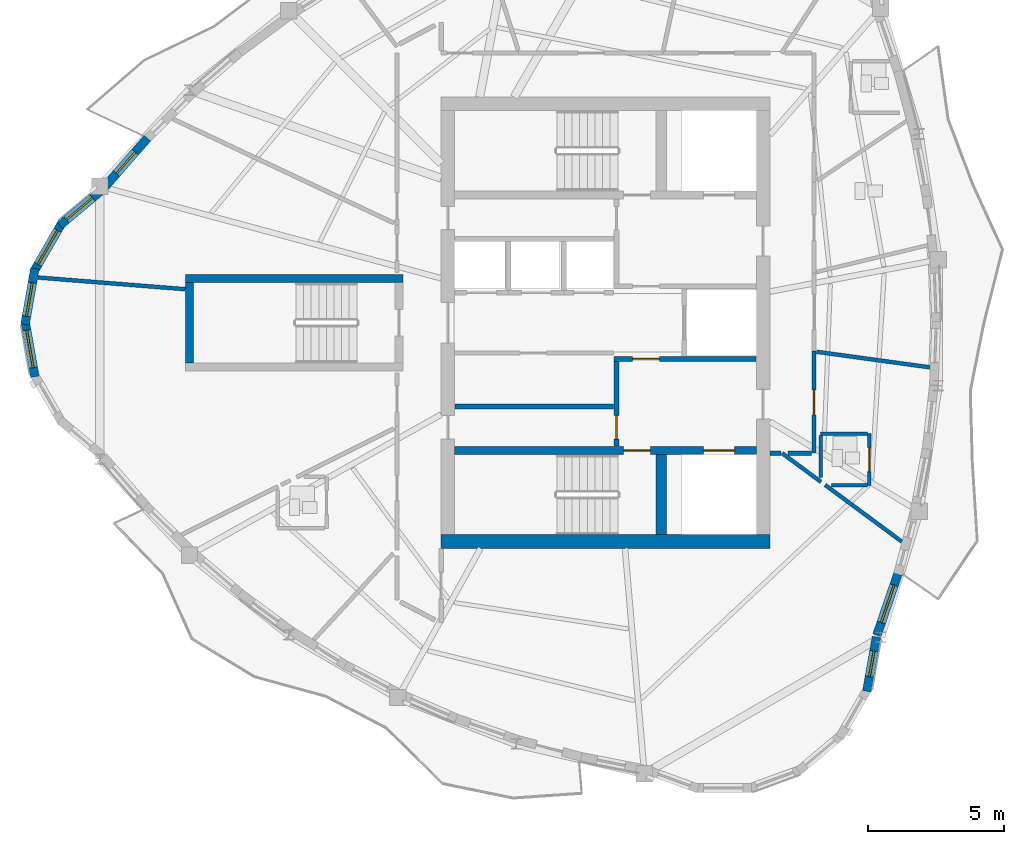
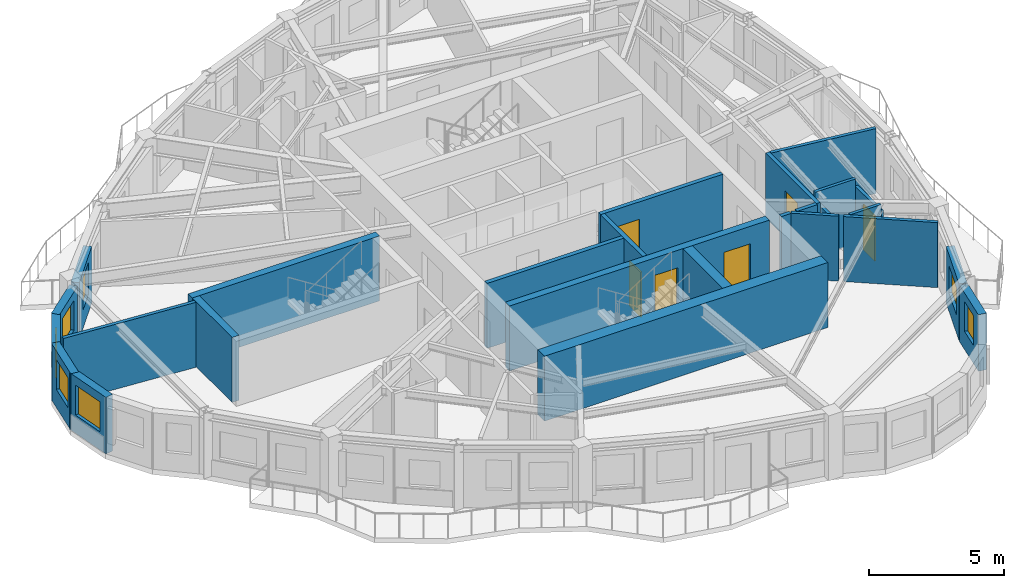
# One storey, part 4 of 12: 26 walls, 7 windows, 6 doors, 13 openings.
"""IFC4 building model written with IfcOpenShell, lengths in metres."""

from ifc_helpers import new_model, si_unit, direction, frame, frame_2d, origin, place, context, subcontext, project, spatial, rectangle, extrude, source, transform, mapped, material, layer, layer_set, type_object, element, fill, save


model = new_model("IFC4")

# Units and contexts
model_context = context("Model", 3, precision=1e-05, world=origin(), true_north=direction((0.0, 1.0)))
body_context = subcontext(model_context, "Body", "Model", "MODEL_VIEW")
ifc_project = project(units=[si_unit("LENGTHUNIT", "METRE"), si_unit("AREAUNIT", "SQUARE_METRE"), si_unit("VOLUMEUNIT", "CUBIC_METRE"), si_unit("PLANEANGLEUNIT", "RADIAN"), si_unit("MASSUNIT", "GRAM", prefix="KILO")], contexts=[model_context])

# Site, building, storey
site_placement = place(None, origin())
site = spatial("IfcSite", under=ifc_project, at=site_placement, CompositionType="ELEMENT")
building_placement = place(site_placement, origin())
building = spatial("IfcBuilding", under=site, at=building_placement, Name="Qafzar Sky-Pleat Residences", CompositionType="ELEMENT")
storey_placement = place(building_placement, frame((0.0, 0.0, 202.0)))
storey = spatial("IfcBuildingStorey", under=building, at=storey_placement, Name="L60", CompositionType="ELEMENT", Elevation=202.0)

# Wall, opening, door
ifc_material_1 = material(Name="Acoustic gypsum plasterboard partition", Category="gypsum")
ifc_layer_1 = layer(ifc_material_1, 0.159912109375)
ifc_layer_set_1 = layer_set([ifc_layer_1], Name="Acoustic gypsum plasterboard partition")
wall_type_1 = type_object("IfcWallType", Name="PART-COR-160", PredefinedType="PARTITIONING", material=ifc_layer_set_1)
wall_1_placement = place(storey_placement, frame((38.02001953125, 24.958984375, 0.0), z_axis=(0.0, 0.0, 1.0), x_axis=(0.0, -1.0, 0.0)))
wall_1 = element("IfcWall", 1, at=wall_1_placement, inside=storey, type_object=wall_type_1, Name="L60 Partition Wall PART-L60-PW-005", PredefinedType="PARTITIONING", context=body_context, shape_type="SweptSolid", body=[
    extrude(rectangle(XDim=3.759033203125, YDim=0.159912109375, at=frame_2d((1.87939453125, 0.0))), origin(), (0.0, 0.0, 1.0), 2.93505859375),
])
opening_1_placement = place(wall_1_placement, frame((1.427490234375, 0.0, 0.0)))
opening_1 = element("IfcOpeningElement", 2, at=opening_1_placement, cuts=wall_1, Name="Opening ID-04", PredefinedType="OPENING", context=body_context, shape_type="SweptSolid", body=[
    extrude(rectangle(XDim=0.919921875, YDim=2.10009765625, at=frame_2d((0.4599609375, 1.050048828125))), frame((0.0, 0.08984375, 0.0), z_axis=(0.0, -1.0, 0.0), x_axis=(1.0, 0.0, 0.0)), (0.0, 0.0, 1.0), 0.179931640625),
])
ifc_material_2 = material(Name="Timber-faced fire door", Category="wood")
door_type_1 = type_object("IfcDoorType", Name="DR-BED-920", OperationType="NOTDEFINED", PredefinedType="DOOR", material=ifc_material_2)
shared_shape_1 = source(origin(), body_context, "Body", "SweptSolid", [
    extrude(rectangle(XDim=0.919921875, YDim=2.10009765625, at=frame_2d((0.4599609375, 1.050048828125))), frame((0.0, 0.02490234375, 0.0), z_axis=(0.0, -1.0, 0.0), x_axis=(1.0, 0.0, 0.0)), (0.0, 0.0, 1.0), 0.050048828125),
])
door_1_placement = place(opening_1_placement, origin())
door_1 = element("IfcDoor", 3, at=door_1_placement, inside=storey, type_object=door_type_1, Name="L60 Co-Living Bedroom 2 Door", OperationType="SINGLE_SWING_LEFT", OverallHeight=2.10009765625, OverallWidth=0.919921875, PredefinedType="DOOR", context=body_context, shape_type="MappedRepresentation", body=[
    mapped(shared_shape_1, transform((0.0, 0.0, 0.0), x_axis=(1.0, 0.0, 0.0), y_axis=(0.0, 1.0, 0.0), z_axis=(0.0, 0.0, 1.0), scale=1.0)),
])
fill(opening_1, door_1)

# Walls
wall_2_placement = place(storey_placement, frame((37.05908203125, 21.199951171875, 0.0), z_axis=(0.0, 0.0, 1.0), x_axis=(1.0, 0.0, 0.0)))
element("IfcWall", 4, at=wall_2_placement, inside=storey, type_object=wall_type_1, Name="L60 Partition Wall PART-L60-PW-046", PredefinedType="PARTITIONING", context=body_context, shape_type="SweptSolid", body=[
    extrude(rectangle(XDim=0.872802734375, YDim=0.159912109375, at=frame_2d((0.4365234375, 0.0))), origin(), (0.0, 0.0, 1.0), 2.93505859375),
])
wall_3_placement = place(storey_placement, frame((36.39990234375, 21.199951171875, 0.0), z_axis=(0.0, 0.0, 1.0), x_axis=(1.0, 0.0, 0.0)))
element("IfcWall", 5, at=wall_3_placement, inside=storey, type_object=wall_type_1, Name="L60 Partition Wall PART-L60-PW-051", PredefinedType="PARTITIONING", context=body_context, shape_type="SweptSolid", body=[
    extrude(rectangle(XDim=0.406005859375, YDim=0.159912109375, at=frame_2d((0.203125, 0.0))), origin(), (0.0, 0.0, 1.0), 2.93505859375),
])

# Wall, opening, door
ifc_material_3 = material(Name="Concrete blockwork partition", Category="masonry")
ifc_layer_2 = layer(ifc_material_3, 0.179931640625)
ifc_layer_set_2 = layer_set([ifc_layer_2], Name="Concrete blockwork partition")
wall_type_2 = type_object("IfcWallType", Name="PART-SHAFT-180", PredefinedType="PARTITIONING", material=ifc_layer_set_2)
wall_4_placement = place(storey_placement, frame((30.75, 21.4599609375, 0.0), z_axis=(0.0, 0.0, 1.0), x_axis=(0.0, 1.0, 0.0)))
wall_4 = element("IfcWall", 6, at=wall_4_placement, inside=storey, type_object=wall_type_2, Name="L60 Partition Wall PART-L60-FFL1-W", PredefinedType="PARTITIONING", context=body_context, shape_type="SweptSolid", body=[
    extrude(rectangle(XDim=3.110107421875, YDim=0.179931640625, at=frame_2d((1.55517578125, 0.0))), origin(), (0.0, 0.0, 1.0), 2.93505859375),
])
opening_2_placement = place(wall_4_placement, frame((0.260009765625, 0.0, 0.0)))
opening_2 = element("IfcOpeningElement", 7, at=opening_2_placement, cuts=wall_4, Name="Opening ID-09", PredefinedType="OPENING", context=body_context, shape_type="SweptSolid", body=[
    extrude(rectangle(XDim=0.860107421875, YDim=2.050048828125, at=frame_2d((0.43017578125, 1.02490234375))), frame((0.0, 0.10009765625, 0.0), z_axis=(0.0, -1.0, 0.0), x_axis=(1.0, 0.0, 0.0)), (0.0, 0.0, 1.0), 0.199951171875),
])
door_type_2 = type_object("IfcDoorType", Name="DR-SVC-860", OperationType="NOTDEFINED", PredefinedType="DOOR", material=ifc_material_2)
shared_shape_2 = source(origin(), body_context, "Body", "SweptSolid", [
    extrude(rectangle(XDim=0.860107421875, YDim=2.050048828125, at=frame_2d((0.43017578125, 1.02490234375))), frame((0.0, 0.02490234375, 0.0), z_axis=(0.0, -1.0, 0.0), x_axis=(1.0, 0.0, 0.0)), (0.0, 0.0, 1.0), 0.050048828125),
])
door_2_placement = place(opening_2_placement, origin())
door_2 = element("IfcDoor", 8, at=door_2_placement, inside=storey, type_object=door_type_2, Name="L60 South Core Cupboard Door", OperationType="SINGLE_SWING_LEFT", OverallHeight=2.050048828125, OverallWidth=0.860107421875, PredefinedType="DOOR", context=body_context, shape_type="MappedRepresentation", body=[
    mapped(shared_shape_2, transform((0.0, 0.0, 0.0), x_axis=(1.0, 0.0, 0.0), y_axis=(0.0, 1.0, 0.0), z_axis=(0.0, 0.0, 1.0), scale=1.0)),
])
fill(opening_2, door_2)

wall_5_placement = place(storey_placement, frame((30.669921875, 24.659912109375, 0.0), z_axis=(0.0, 0.0, 1.0), x_axis=(1.0, 0.0, 0.0)))
wall_5 = element("IfcWall", 9, at=wall_5_placement, inside=storey, type_object=wall_type_2, Name="L60 Partition Wall PART-L60-FFL1-N", PredefinedType="PARTITIONING", context=body_context, shape_type="SweptSolid", body=[
    extrude(rectangle(XDim=5.219970703125, YDim=0.179931640625, at=frame_2d((2.60986328125, 0.0))), origin(), (0.0, 0.0, 1.0), 2.93505859375),
])
opening_3_placement = place(wall_5_placement, frame((0.679931640625, 0.0, 0.0)))
opening_3 = element("IfcOpeningElement", 10, at=opening_3_placement, cuts=wall_5, Name="Opening ID-01", PredefinedType="OPENING", context=body_context, shape_type="SweptSolid", body=[
    extrude(rectangle(XDim=0.97998046875, YDim=2.14990234375, at=frame_2d((0.489990234375, 1.074951171875))), frame((0.0, 0.10009765625, 0.0), z_axis=(0.0, -1.0, 0.0), x_axis=(1.0, 0.0, 0.0)), (0.0, 0.0, 1.0), 0.199951171875),
])
door_type_3 = type_object("IfcDoorType", Name="DR-STAIR-980", OperationType="NOTDEFINED", PredefinedType="DOOR", material=ifc_material_2)
shared_shape_3 = source(origin(), body_context, "Body", "SweptSolid", [
    extrude(rectangle(XDim=0.97998046875, YDim=2.14990234375, at=frame_2d((0.489990234375, 1.074951171875))), frame((0.0, 0.02490234375, 0.0), z_axis=(0.0, -1.0, 0.0), x_axis=(1.0, 0.0, 0.0)), (0.0, 0.0, 1.0), 0.050048828125),
])
door_3_placement = place(opening_3_placement, origin())
door_3 = element("IfcDoor", 11, at=door_3_placement, inside=storey, type_object=door_type_3, Name="L60 Lift Lobby to South Firefighting Lobby Door", OperationType="SINGLE_SWING_RIGHT", OverallHeight=2.14990234375, OverallWidth=0.97998046875, PredefinedType="DOOR", context=body_context, shape_type="MappedRepresentation", body=[
    mapped(shared_shape_3, transform((0.0, 0.0, 0.0), x_axis=(1.0, 0.0, 0.0), y_axis=(0.0, 1.0, 0.0), z_axis=(0.0, 0.0, 1.0), scale=1.0)),
])
fill(opening_3, door_3)

# Walls
wall_6_placement = place(storey_placement, frame((24.81005859375, 22.919921875, 0.0), z_axis=(0.0, 0.0, 1.0), x_axis=(1.0, 0.0, 0.0)))
element("IfcWall", 12, at=wall_6_placement, inside=storey, type_object=wall_type_2, Name="L60 Partition Wall PART-L60-P13-S", PredefinedType="PARTITIONING", context=body_context, shape_type="SweptSolid", body=[
    extrude(rectangle(XDim=5.83984375, YDim=0.179931640625, at=frame_2d((2.919921875, 0.0))), origin(), (0.0, 0.0, 1.0), 2.93505859375),
])
ifc_layer_3 = layer(ifc_material_1, 0.14501953125)
ifc_layer_set_3 = layer_set([ifc_layer_3], Name="Acoustic gypsum plasterboard partition")
wall_type_3 = type_object("IfcWallType", Name="PART-UNIT-145", PredefinedType="PARTITIONING", material=ifc_layer_set_3)
wall_7_placement = place(storey_placement, frame((9.472900390625, 27.660888671875, 0.0), z_axis=(0.0, 0.0, 1.0), x_axis=(0.996864548282, -0.079126938392, 0.0)))
element("IfcWall", 13, at=wall_7_placement, inside=storey, type_object=wall_type_3, Name="L60 Partition Wall PART-L60-PW-019", PredefinedType="PARTITIONING", context=body_context, shape_type="SweptSolid", body=[
    extrude(rectangle(XDim=5.430419921875, YDim=0.14501953125, at=frame_2d((2.71533203125, 0.0))), origin(), (0.0, 0.0, 1.0), 2.93505859375),
])
wall_8_placement = place(storey_placement, frame((38.117919921875, 24.929443359375, 0.0), z_axis=(0.0, 0.0, 1.0), x_axis=(0.990658246077, -0.136368029533, 0.0)))
element("IfcWall", 14, at=wall_8_placement, inside=storey, type_object=wall_type_3, Name="L60 Partition Wall PART-L60-PW-022", PredefinedType="PARTITIONING", context=body_context, shape_type="SweptSolid", body=[
    extrude(rectangle(XDim=4.201904296875, YDim=0.14501953125, at=frame_2d((2.10107421875, 0.0))), origin(), (0.0, 0.0, 1.0), 2.93505859375),
])
wall_9_placement = place(storey_placement, frame((38.428955078125, 20.030029296875, 0.0), z_axis=(0.0, 0.0, 1.0), x_axis=(0.804249944798, -0.594291196546, 0.0)))
element("IfcWall", 15, at=wall_9_placement, inside=storey, type_object=wall_type_3, Name="L60 Partition Wall PART-L60-PW-028", PredefinedType="PARTITIONING", context=body_context, shape_type="SweptSolid", body=[
    extrude(rectangle(XDim=3.505859375, YDim=0.14501953125, at=frame_2d((1.7529296875, 0.0))), origin(), (0.0, 0.0, 1.0), 2.93505859375),
])
wall_10_placement = place(storey_placement, frame((36.845947265625, 21.199951171875, 0.0), z_axis=(0.0, 0.0, 1.0), x_axis=(0.804250382672, -0.594290603974, 0.0)))
element("IfcWall", 16, at=wall_10_placement, inside=storey, type_object=wall_type_3, Name="L60 Partition Wall PART-L60-PW-035", PredefinedType="PARTITIONING", context=body_context, shape_type="SweptSolid", body=[
    extrude(rectangle(XDim=1.77685546875, YDim=0.14501953125, at=frame_2d((0.888427734375, 0.0))), origin(), (0.0, 0.0, 1.0), 2.93505859375),
])

# Wall, opening, door
ifc_material_4 = material(Name="Moisture-resistant gypsum partition", Category="gypsum")
ifc_layer_4 = layer(ifc_material_4, 0.1298828125)
ifc_layer_set_4 = layer_set([ifc_layer_4], Name="Moisture-resistant gypsum partition")
wall_type_4 = type_object("IfcWallType", Name="PART-WET-130", PredefinedType="PARTITIONING", material=ifc_layer_set_4)
wall_11_placement = place(storey_placement, frame((40.06005859375, 20.014892578125, 0.0), z_axis=(0.0, 0.0, 1.0), x_axis=(0.0, 1.0, 0.0)))
wall_11 = element("IfcWall", 17, at=wall_11_placement, inside=storey, type_object=wall_type_4, Name="L60 Partition Wall PART-L60-PW-013", PredefinedType="PARTITIONING", context=body_context, shape_type="SweptSolid", body=[
    extrude(rectangle(XDim=1.900146484375, YDim=0.1298828125, at=frame_2d((0.9501953125, 0.0))), origin(), (0.0, 0.0, 1.0), 2.572998046875),
])
opening_4_placement = place(wall_11_placement, frame((0.510009765625, 0.0, 0.0)))
opening_4 = element("IfcOpeningElement", 18, at=opening_4_placement, cuts=wall_11, Name="Opening ID-07", PredefinedType="OPENING", context=body_context, shape_type="SweptSolid", body=[
    extrude(rectangle(XDim=0.8798828125, YDim=2.050048828125, at=frame_2d((0.43994140625, 1.02490234375))), frame((0.0, 0.074951171875, 0.0), z_axis=(0.0, -1.0, 0.0), x_axis=(1.0, 0.0, 0.0)), (0.0, 0.0, 1.0), 0.14990234375),
])
door_type_4 = type_object("IfcDoorType", Name="DR-WET-880", OperationType="NOTDEFINED", PredefinedType="DOOR", material=ifc_material_2)
shared_shape_4 = source(origin(), body_context, "Body", "SweptSolid", [
    extrude(rectangle(XDim=0.8798828125, YDim=2.050048828125, at=frame_2d((0.43994140625, 1.02490234375))), frame((0.0, 0.02490234375, 0.0), z_axis=(0.0, -1.0, 0.0), x_axis=(1.0, 0.0, 0.0)), (0.0, 0.0, 1.0), 0.050048828125),
])
door_4_placement = place(opening_4_placement, origin())
door_4 = element("IfcDoor", 19, at=door_4_placement, inside=storey, type_object=door_type_4, Name="L60 En-suite Bathroom 2 Door", OperationType="SINGLE_SWING_RIGHT", OverallHeight=2.050048828125, OverallWidth=0.8798828125, PredefinedType="DOOR", context=body_context, shape_type="MappedRepresentation", body=[
    mapped(shared_shape_4, transform((0.0, 0.0, 0.0), x_axis=(1.0, 0.0, 0.0), y_axis=(0.0, 1.0, 0.0), z_axis=(0.0, 0.0, 1.0), scale=1.0)),
])
fill(opening_4, door_4)

# Walls
wall_12_placement = place(storey_placement, frame((38.260009765625, 21.9150390625, 0.0), z_axis=(0.0, 0.0, 1.0), x_axis=(1.0, 0.0, 0.0)))
element("IfcWall", 20, at=wall_12_placement, inside=storey, type_object=wall_type_4, Name="L60 Partition Wall PART-L60-PW-032", PredefinedType="PARTITIONING", context=body_context, shape_type="SweptSolid", body=[
    extrude(rectangle(XDim=1.72705078125, YDim=0.1298828125, at=frame_2d((0.863525390625, 0.0))), origin(), (0.0, 0.0, 1.0), 2.93505859375),
])
wall_13_placement = place(storey_placement, frame((38.260009765625, 20.30126953125, 0.0), z_axis=(0.0, 0.0, 1.0), x_axis=(0.0, 1.0, 0.0)))
element("IfcWall", 21, at=wall_13_placement, inside=storey, type_object=wall_type_4, Name="L60 Partition Wall PART-L60-PW-036", PredefinedType="PARTITIONING", context=body_context, shape_type="SweptSolid", body=[
    extrude(rectangle(XDim=1.540771484375, YDim=0.1298828125, at=frame_2d((0.7705078125, 0.0))), origin(), (0.0, 0.0, 1.0), 2.60302734375),
])
wall_14_placement = place(storey_placement, frame((38.66796875, 20.014892578125, 0.0), z_axis=(0.0, 0.0, 1.0), x_axis=(1.0, 0.0, 0.0)))
element("IfcWall", 22, at=wall_14_placement, inside=storey, type_object=wall_type_4, Name="L60 Partition Wall PART-L60-PW-037", PredefinedType="PARTITIONING", context=body_context, shape_type="SweptSolid", body=[
    extrude(rectangle(XDim=1.319091796875, YDim=0.1298828125, at=frame_2d((0.65966796875, 0.0))), origin(), (0.0, 0.0, 1.0), 2.93505859375),
])

# Wall, opening, window
ifc_material_5 = material(Name="Precast concrete C40/50 with honed Riyadh limestone", Category="concrete")
ifc_layer_5 = layer(ifc_material_5, 0.320068359375)
ifc_layer_set_5 = layer_set([ifc_layer_5], Name="Precast concrete C40/50 with honed Riyadh limestone")
wall_type_5 = type_object("IfcWallType", Name="WALL-EXT-320", PredefinedType="SOLIDWALL", material=ifc_layer_set_5)
wall_15_placement = place(storey_placement, frame((11.77392578125, 30.842529296875, 0.0), z_axis=(0.0, 0.0, 1.0), x_axis=(-0.766116451135, -0.642701784112, 0.0)))
wall_15 = element("IfcWall", 23, at=wall_15_placement, inside=storey, type_object=wall_type_5, Name="L60 Limestone Facade Wall 1", PredefinedType="SOLIDWALL", context=body_context, shape_type="SweptSolid", body=[
    extrude(rectangle(XDim=1.96240234375, YDim=0.320068359375, at=frame_2d((0.981201171875, 0.0))), origin(), (0.0, 0.0, 1.0), 2.554931640625),
])
opening_5_placement = place(wall_15_placement, frame((0.39111328125, 0.0, 0.820068359375)))
opening_5 = element("IfcOpeningElement", 24, at=opening_5_placement, cuts=wall_15, Name="Opening WN-11", PredefinedType="OPENING", context=body_context, shape_type="SweptSolid", body=[
    extrude(rectangle(XDim=1.25, YDim=1.35009765625, at=frame_2d((0.625, 0.675048828125))), frame((0.0, 0.169921875, 0.0), z_axis=(0.0, -1.0, 0.0), x_axis=(1.0, 0.0, 0.0)), (0.0, 0.0, 1.0), 0.340087890625),
])
ifc_material_6 = material(Name="Solar-control low-E glass in bronze aluminium frame", Category="glass")
window_type_1 = type_object("IfcWindowType", Name="WIN-11", PartitioningType="SINGLE_PANEL", PredefinedType="WINDOW", material=ifc_material_6)
shared_shape_5 = source(origin(), body_context, "Body", "SweptSolid", [
    extrude(rectangle(XDim=1.25, YDim=1.35009765625, at=frame_2d((0.625, 0.675048828125))), frame((0.0, 0.030029296875, 0.0), z_axis=(0.0, -1.0, 0.0), x_axis=(1.0, 0.0, 0.0)), (0.0, 0.0, 1.0), 0.06005859375),
])
window_1_placement = place(opening_5_placement, origin())
window_1 = element("IfcWindow", 25, at=window_1_placement, inside=storey, type_object=window_type_1, Name="L60 Punched Facade Window 01", OverallHeight=1.35009765625, OverallWidth=1.25, PartitioningType="SINGLE_PANEL", PredefinedType="WINDOW", context=body_context, shape_type="MappedRepresentation", body=[
    mapped(shared_shape_5, transform((0.0, 0.0, 0.0), x_axis=(1.0, 0.0, 0.0), y_axis=(0.0, 1.0, 0.0), z_axis=(0.0, 0.0, 1.0), scale=1.0)),
])
fill(opening_5, window_1)

wall_16_placement = place(storey_placement, frame((10.3544921875, 29.68115234375, 0.0), z_axis=(0.0, 0.0, 1.0), x_axis=(-0.499995423472, -0.866028046028, 0.0)))
wall_16 = element("IfcWall", 26, at=wall_16_placement, inside=storey, type_object=wall_type_5, Name="L60 Limestone Facade Wall 2", PredefinedType="SOLIDWALL", context=body_context, shape_type="SweptSolid", body=[
    extrude(rectangle(XDim=2.09033203125, YDim=0.320068359375, at=frame_2d((1.045166015625, 0.0))), origin(), (0.0, 0.0, 1.0), 2.554931640625),
])
opening_6_placement = place(wall_16_placement, frame((0.3203125, 0.0, 0.820068359375)))
opening_6 = element("IfcOpeningElement", 27, at=opening_6_placement, cuts=wall_16, Name="Opening WN-15", PredefinedType="OPENING", context=body_context, shape_type="SweptSolid", body=[
    extrude(rectangle(XDim=1.449951171875, YDim=1.25, at=frame_2d((0.72509765625, 0.625))), frame((0.0, 0.169921875, 0.0), z_axis=(0.0, -1.0, 0.0), x_axis=(1.0, 0.0, 0.0)), (0.0, 0.0, 1.0), 0.340087890625),
])
window_type_2 = type_object("IfcWindowType", Name="WIN-15", PartitioningType="SINGLE_PANEL", PredefinedType="WINDOW", material=ifc_material_6)
shared_shape_6 = source(origin(), body_context, "Body", "SweptSolid", [
    extrude(rectangle(XDim=1.449951171875, YDim=1.25, at=frame_2d((0.72509765625, 0.625))), frame((0.0, 0.030029296875, 0.0), z_axis=(0.0, -1.0, 0.0), x_axis=(1.0, 0.0, 0.0)), (0.0, 0.0, 1.0), 0.06005859375),
])
window_2_placement = place(opening_6_placement, origin())
window_2 = element("IfcWindow", 28, at=window_2_placement, inside=storey, type_object=window_type_2, Name="L60 Punched Facade Window 02", OverallHeight=1.25, OverallWidth=1.449951171875, PartitioningType="SINGLE_PANEL", PredefinedType="WINDOW", context=body_context, shape_type="MappedRepresentation", body=[
    mapped(shared_shape_6, transform((0.0, 0.0, 0.0), x_axis=(1.0, 0.0, 0.0), y_axis=(0.0, 1.0, 0.0), z_axis=(0.0, 0.0, 1.0), scale=1.0)),
])
fill(opening_6, window_2)

wall_17_placement = place(storey_placement, frame((9.35400390625, 27.993408203125, 0.0), z_axis=(0.0, 0.0, 1.0), x_axis=(-0.173672066494, -0.984803540469, 0.0)))
wall_17 = element("IfcWall", 29, at=wall_17_placement, inside=storey, type_object=wall_type_5, Name="L60 Limestone Facade Wall 3", PredefinedType="SOLIDWALL", context=body_context, shape_type="SweptSolid", body=[
    extrude(rectangle(XDim=2.09033203125, YDim=0.320068359375, at=frame_2d((1.045166015625, 0.0))), origin(), (0.0, 0.0, 1.0), 2.554931640625),
])
opening_7_placement = place(wall_17_placement, frame((0.53466796875, 0.0, 0.820068359375)))
opening_7 = element("IfcOpeningElement", 30, at=opening_7_placement, cuts=wall_17, Name="Opening WN-11", PredefinedType="OPENING", context=body_context, shape_type="SweptSolid", body=[
    extrude(rectangle(XDim=1.25, YDim=1.35009765625, at=frame_2d((0.625, 0.675048828125))), frame((0.0, 0.169921875, 0.0), z_axis=(0.0, -1.0, 0.0), x_axis=(1.0, 0.0, 0.0)), (0.0, 0.0, 1.0), 0.340087890625),
])
window_3_placement = place(opening_7_placement, origin())
window_3 = element("IfcWindow", 31, at=window_3_placement, inside=storey, type_object=window_type_1, Name="L60 Punched Facade Window 03", OverallHeight=1.35009765625, OverallWidth=1.25, PartitioningType="SINGLE_PANEL", PredefinedType="WINDOW", context=body_context, shape_type="MappedRepresentation", body=[
    mapped(shared_shape_5, transform((0.0, 0.0, 0.0), x_axis=(1.0, 0.0, 0.0), y_axis=(0.0, 1.0, 0.0), z_axis=(0.0, 0.0, 1.0), scale=1.0)),
])
fill(opening_7, window_3)

wall_18_placement = place(storey_placement, frame((8.990966796875, 26.065185546875, 0.0), z_axis=(0.0, 0.0, 1.0), x_axis=(0.173672066494, -0.984803540469, 0.0)))
wall_18 = element("IfcWall", 32, at=wall_18_placement, inside=storey, type_object=wall_type_5, Name="L60 Limestone Facade Wall 4", PredefinedType="SOLIDWALL", context=body_context, shape_type="SweptSolid", body=[
    extrude(rectangle(XDim=2.09033203125, YDim=0.320068359375, at=frame_2d((1.045166015625, 0.0))), origin(), (0.0, 0.0, 1.0), 2.554931640625),
])
opening_8_placement = place(wall_18_placement, frame((0.34521484375, 0.0, 0.820068359375)))
opening_8 = element("IfcOpeningElement", 33, at=opening_8_placement, cuts=wall_18, Name="Opening WN-10", PredefinedType="OPENING", context=body_context, shape_type="SweptSolid", body=[
    extrude(rectangle(XDim=1.39990234375, YDim=1.35009765625, at=frame_2d((0.699951171875, 0.675048828125))), frame((0.0, 0.169921875, 0.0), z_axis=(0.0, -1.0, 0.0), x_axis=(1.0, 0.0, 0.0)), (0.0, 0.0, 1.0), 0.340087890625),
])
window_type_3 = type_object("IfcWindowType", Name="WIN-10", PartitioningType="SINGLE_PANEL", PredefinedType="WINDOW", material=ifc_material_6)
shared_shape_7 = source(origin(), body_context, "Body", "SweptSolid", [
    extrude(rectangle(XDim=1.39990234375, YDim=1.35009765625, at=frame_2d((0.699951171875, 0.675048828125))), frame((0.0, 0.030029296875, 0.0), z_axis=(0.0, -1.0, 0.0), x_axis=(1.0, 0.0, 0.0)), (0.0, 0.0, 1.0), 0.06005859375),
])
window_4_placement = place(opening_8_placement, origin())
window_4 = element("IfcWindow", 34, at=window_4_placement, inside=storey, type_object=window_type_3, Name="L60 Punched Facade Window 04", OverallHeight=1.35009765625, OverallWidth=1.39990234375, PartitioningType="SINGLE_PANEL", PredefinedType="WINDOW", context=body_context, shape_type="MappedRepresentation", body=[
    mapped(shared_shape_7, transform((0.0, 0.0, 0.0), x_axis=(1.0, 0.0, 0.0), y_axis=(0.0, 1.0, 0.0), z_axis=(0.0, 0.0, 1.0), scale=1.0)),
])
fill(opening_8, window_4)

wall_19_placement = place(storey_placement, frame((39.966064453125, 12.4365234375, 0.0), z_axis=(0.0, 0.0, 1.0), x_axis=(0.17370309897, 0.984798067326, 0.0)))
wall_19 = element("IfcWall", 35, at=wall_19_placement, inside=storey, type_object=wall_type_5, Name="L60 Limestone Facade Wall 22", PredefinedType="SOLIDWALL", context=body_context, shape_type="SweptSolid", body=[
    extrude(rectangle(XDim=2.032470703125, YDim=0.320068359375, at=frame_2d((1.01611328125, 0.0))), origin(), (0.0, 0.0, 1.0), 2.554931640625),
])
opening_9_placement = place(wall_19_placement, frame((0.55126953125, 0.0, 0.820068359375)))
opening_9 = element("IfcOpeningElement", 36, at=opening_9_placement, cuts=wall_19, Name="Opening WN-12", PredefinedType="OPENING", context=body_context, shape_type="SweptSolid", body=[
    extrude(rectangle(XDim=0.949951171875, YDim=1.35009765625, at=frame_2d((0.47509765625, 0.675048828125))), frame((0.0, 0.169921875, 0.0), z_axis=(0.0, -1.0, 0.0), x_axis=(1.0, 0.0, 0.0)), (0.0, 0.0, 1.0), 0.340087890625),
])
window_type_4 = type_object("IfcWindowType", Name="WIN-12", PartitioningType="SINGLE_PANEL", PredefinedType="WINDOW", material=ifc_material_6)
shared_shape_8 = source(origin(), body_context, "Body", "SweptSolid", [
    extrude(rectangle(XDim=0.949951171875, YDim=1.35009765625, at=frame_2d((0.47509765625, 0.675048828125))), frame((0.0, 0.030029296875, 0.0), z_axis=(0.0, -1.0, 0.0), x_axis=(1.0, 0.0, 0.0)), (0.0, 0.0, 1.0), 0.06005859375),
])
window_5_placement = place(opening_9_placement, origin())
window_5 = element("IfcWindow", 37, at=window_5_placement, inside=storey, type_object=window_type_4, Name="L60 Punched Facade Window 22", OverallHeight=1.35009765625, OverallWidth=0.949951171875, PartitioningType="SINGLE_PANEL", PredefinedType="WINDOW", context=body_context, shape_type="MappedRepresentation", body=[
    mapped(shared_shape_8, transform((0.0, 0.0, 0.0), x_axis=(1.0, 0.0, 0.0), y_axis=(0.0, 1.0, 0.0), z_axis=(0.0, 0.0, 1.0), scale=1.0)),
])
fill(opening_9, window_5)

wall_20_placement = place(storey_placement, frame((40.335205078125, 14.50048828125, 0.0), z_axis=(0.0, 0.0, 1.0), x_axis=(0.323561604729, 0.946207106264, 0.0)))
wall_20 = element("IfcWall", 38, at=wall_20_placement, inside=storey, type_object=wall_type_5, Name="L60 Limestone Facade Wall 23", PredefinedType="SOLIDWALL", context=body_context, shape_type="SweptSolid", body=[
    extrude(rectangle(XDim=2.463623046875, YDim=0.320068359375, at=frame_2d((1.23193359375, 0.0))), origin(), (0.0, 0.0, 1.0), 2.554931640625),
])
opening_10_placement = place(wall_20_placement, frame((0.496826171875, 0.0, 0.820068359375)))
opening_10 = element("IfcOpeningElement", 39, at=opening_10_placement, cuts=wall_20, Name="Opening WN-15", PredefinedType="OPENING", context=body_context, shape_type="SweptSolid", body=[
    extrude(rectangle(XDim=1.449951171875, YDim=1.25, at=frame_2d((0.72509765625, 0.625))), frame((0.0, 0.169921875, 0.0), z_axis=(0.0, -1.0, 0.0), x_axis=(1.0, 0.0, 0.0)), (0.0, 0.0, 1.0), 0.340087890625),
])
window_6_placement = place(opening_10_placement, origin())
window_6 = element("IfcWindow", 40, at=window_6_placement, inside=storey, type_object=window_type_2, Name="L60 Punched Facade Window 23", OverallHeight=1.25, OverallWidth=1.449951171875, PartitioningType="SINGLE_PANEL", PredefinedType="WINDOW", context=body_context, shape_type="MappedRepresentation", body=[
    mapped(shared_shape_6, transform((0.0, 0.0, 0.0), x_axis=(1.0, 0.0, 0.0), y_axis=(0.0, 1.0, 0.0), z_axis=(0.0, 0.0, 1.0), scale=1.0)),
])
fill(opening_10, window_6)

wall_21_placement = place(storey_placement, frame((13.493896484375, 32.788818359375, 0.0), z_axis=(0.0, 0.0, 1.0), x_axis=(-0.65765213646, -0.753321755566, 0.0)))
wall_21 = element("IfcWall", 41, at=wall_21_placement, inside=storey, type_object=wall_type_5, Name="L60 Limestone Facade Wall 48", PredefinedType="SOLIDWALL", context=body_context, shape_type="SweptSolid", body=[
    extrude(rectangle(XDim=2.393798828125, YDim=0.320068359375, at=frame_2d((1.19677734375, 0.0))), origin(), (0.0, 0.0, 1.0), 2.554931640625),
])
opening_11_placement = place(wall_21_placement, frame((0.6767578125, 0.0, 0.820068359375)))
opening_11 = element("IfcOpeningElement", 42, at=opening_11_placement, cuts=wall_21, Name="Opening WN-06", PredefinedType="OPENING", context=body_context, shape_type="SweptSolid", body=[
    extrude(rectangle(XDim=1.050048828125, YDim=1.449951171875, at=frame_2d((0.52490234375, 0.72509765625))), frame((0.0, 0.169921875, 0.0), z_axis=(0.0, -1.0, 0.0), x_axis=(1.0, 0.0, 0.0)), (0.0, 0.0, 1.0), 0.340087890625),
])
window_type_5 = type_object("IfcWindowType", Name="WIN-06", PartitioningType="SINGLE_PANEL", PredefinedType="WINDOW", material=ifc_material_6)
shared_shape_9 = source(origin(), body_context, "Body", "SweptSolid", [
    extrude(rectangle(XDim=1.050048828125, YDim=1.449951171875, at=frame_2d((0.52490234375, 0.72509765625))), frame((0.0, 0.030029296875, 0.0), z_axis=(0.0, -1.0, 0.0), x_axis=(1.0, 0.0, 0.0)), (0.0, 0.0, 1.0), 0.06005859375),
])
window_7_placement = place(opening_11_placement, origin())
window_7 = element("IfcWindow", 43, at=window_7_placement, inside=storey, type_object=window_type_5, Name="L60 Punched Facade Window 48", OverallHeight=1.449951171875, OverallWidth=1.050048828125, PartitioningType="SINGLE_PANEL", PredefinedType="WINDOW", context=body_context, shape_type="MappedRepresentation", body=[
    mapped(shared_shape_9, transform((0.0, 0.0, 0.0), x_axis=(1.0, 0.0, 0.0), y_axis=(0.0, 1.0, 0.0), z_axis=(0.0, 0.0, 1.0), scale=1.0)),
])
fill(opening_11, window_7)

# Wall, openings, doors
ifc_material_7 = material(Name="Concrete C60/75", Category="concrete")
ifc_layer_6 = layer(ifc_material_7, 0.300048828125)
ifc_layer_set_6 = layer_set([ifc_layer_6], Name="Concrete C60/75")
wall_type_6 = type_object("IfcWallType", Name="WALL-SHEAR-300", PredefinedType="SHEAR", material=ifc_layer_set_6)
wall_22_placement = place(storey_placement, frame((24.800048828125, 21.300048828125, 0.0), z_axis=(0.0, 0.0, 1.0), x_axis=(1.0, 0.0, 0.0)))
wall_22 = element("IfcWall", 44, at=wall_22_placement, inside=storey, type_object=wall_type_6, Name="L60 Stair ST1 and FF1 Shaft North Wall", PredefinedType="SHEAR", context=body_context, shape_type="SweptSolid", body=[
    extrude(rectangle(XDim=11.099853515625, YDim=0.300048828125, at=frame_2d((5.5498046875, 0.0))), origin(), (0.0, 0.0, 1.0), 2.93505859375),
])
opening_12_placement = place(wall_22_placement, frame((6.219970703125, 0.0, 0.0)))
opening_12 = element("IfcOpeningElement", 45, at=opening_12_placement, cuts=wall_22, Name="Opening ID-01", PredefinedType="OPENING", context=body_context, shape_type="SweptSolid", body=[
    extrude(rectangle(XDim=0.97998046875, YDim=2.14990234375, at=frame_2d((0.489990234375, 1.074951171875))), frame((0.0, 0.16015625, 0.0), z_axis=(0.0, -1.0, 0.0), x_axis=(1.0, 0.0, 0.0)), (0.0, 0.0, 1.0), 0.320068359375),
])
opening_13_placement = place(wall_22_placement, frame((9.14990234375, 0.0, 0.0)))
opening_13 = element("IfcOpeningElement", 46, at=opening_13_placement, cuts=wall_22, Name="Opening LD-02", PredefinedType="OPENING", context=body_context, shape_type="SweptSolid", body=[
    extrude(rectangle(XDim=1.14990234375, YDim=2.14990234375, at=frame_2d((0.574951171875, 1.074951171875))), frame((0.0, 0.16015625, 0.0), z_axis=(0.0, -1.0, 0.0), x_axis=(1.0, 0.0, 0.0)), (0.0, 0.0, 1.0), 0.320068359375),
])
door_5_placement = place(opening_12_placement, origin())
door_5 = element("IfcDoor", 47, at=door_5_placement, inside=storey, type_object=door_type_3, Name="L60 Stair ST1 Fire Door", OperationType="SINGLE_SWING_RIGHT", OverallHeight=2.14990234375, OverallWidth=0.97998046875, PredefinedType="DOOR", context=body_context, shape_type="MappedRepresentation", body=[
    mapped(shared_shape_3, transform((0.0, 0.0, 0.0), x_axis=(1.0, 0.0, 0.0), y_axis=(0.0, 1.0, 0.0), z_axis=(0.0, 0.0, 1.0), scale=1.0)),
])
fill(opening_12, door_5)
ifc_material_8 = material(Name="Stainless steel sliding landing door", Category="steel")
door_type_5 = type_object("IfcDoorType", Name="DR-LIFT-FF", OperationType="DOUBLE_DOOR_SLIDING", PredefinedType="DOOR", material=ifc_material_8)
shared_shape_10 = source(origin(), body_context, "Body", "SweptSolid", [
    extrude(rectangle(XDim=1.14990234375, YDim=2.14990234375, at=frame_2d((0.574951171875, 1.074951171875))), frame((0.0, 0.02490234375, 0.0), z_axis=(0.0, -1.0, 0.0), x_axis=(1.0, 0.0, 0.0)), (0.0, 0.0, 1.0), 0.050048828125),
])
door_6_placement = place(opening_13_placement, origin())
door_6 = element("IfcDoor", 48, at=door_6_placement, inside=storey, type_object=door_type_5, Name="L60 Firefighting Lift FF1 Landing Door", OperationType="DOUBLE_DOOR_SLIDING", OverallHeight=2.14990234375, OverallWidth=1.14990234375, PredefinedType="DOOR", context=body_context, shape_type="MappedRepresentation", body=[
    mapped(shared_shape_10, transform((0.0, 0.0, 0.0), x_axis=(1.0, 0.0, 0.0), y_axis=(0.0, 1.0, 0.0), z_axis=(0.0, 0.0, 1.0), scale=1.0)),
])
fill(opening_13, door_6)

# Walls
wall_23_placement = place(storey_placement, frame((22.89990234375, 27.625, 0.0), z_axis=(0.0, 0.0, 1.0), x_axis=(-1.0, 0.0, 0.0)))
element("IfcWall", 49, at=wall_23_placement, inside=storey, type_object=wall_type_6, Name="L60 ST3 wall N", PredefinedType="SHEAR", context=body_context, shape_type="SweptSolid", body=[
    extrude(rectangle(XDim=8.0, YDim=0.300048828125, at=frame_2d((4.0, 0.0))), origin(), (0.0, 0.0, 1.0), 2.93505859375),
])
wall_24_placement = place(storey_placement, frame((15.050048828125, 27.47509765625, 0.0), z_axis=(0.0, 0.0, 1.0), x_axis=(0.0, -1.0, 0.0)))
element("IfcWall", 50, at=wall_24_placement, inside=storey, type_object=wall_type_6, Name="L60 ST3 wall W", PredefinedType="SHEAR", context=body_context, shape_type="SweptSolid", body=[
    extrude(rectangle(XDim=2.9501953125, YDim=0.300048828125, at=frame_2d((1.47509765625, 0.0))), origin(), (0.0, 0.0, 1.0), 2.93505859375),
])
ifc_layer_7 = layer(ifc_material_7, 0.39990234375)
ifc_layer_set_7 = layer_set([ifc_layer_7], Name="Concrete C60/75")
wall_type_7 = type_object("IfcWallType", Name="WALL-SHEAR-400", PredefinedType="SHEAR", material=ifc_layer_set_7)
wall_25_placement = place(storey_placement, frame((32.39990234375, 18.199951171875, 0.0), z_axis=(0.0, 0.0, 1.0), x_axis=(0.0, 1.0, 0.0)))
element("IfcWall", 51, at=wall_25_placement, inside=storey, type_object=wall_type_7, Name="L60 Stair ST1 East Dividing Wall", PredefinedType="SHEAR", context=body_context, shape_type="SweptSolid", body=[
    extrude(rectangle(XDim=2.949951171875, YDim=0.39990234375, at=frame_2d((1.47509765625, 0.0))), origin(), (0.0, 0.0, 1.0), 2.93505859375),
])
ifc_layer_8 = layer(ifc_material_7, 0.5)
ifc_layer_set_8 = layer_set([ifc_layer_8], Name="Concrete C60/75")
wall_type_8 = type_object("IfcWallType", Name="WALL-SHEAR-500", PredefinedType="SHEAR", material=ifc_layer_set_8)
wall_26_placement = place(storey_placement, frame((24.300048828125, 17.949951171875, 0.0), z_axis=(0.0, 0.0, 1.0), x_axis=(1.0, 0.0, 0.0)))
element("IfcWall", 52, at=wall_26_placement, inside=storey, type_object=wall_type_8, Name="L60 CORE wall S", PredefinedType="SHEAR", context=body_context, shape_type="SweptSolid", body=[
    extrude(rectangle(XDim=12.099853515625, YDim=0.5, at=frame_2d((6.0498046875, 0.0))), origin(), (0.0, 0.0, 1.0), 2.93505859375),
])

save(model, "model.ifc")
